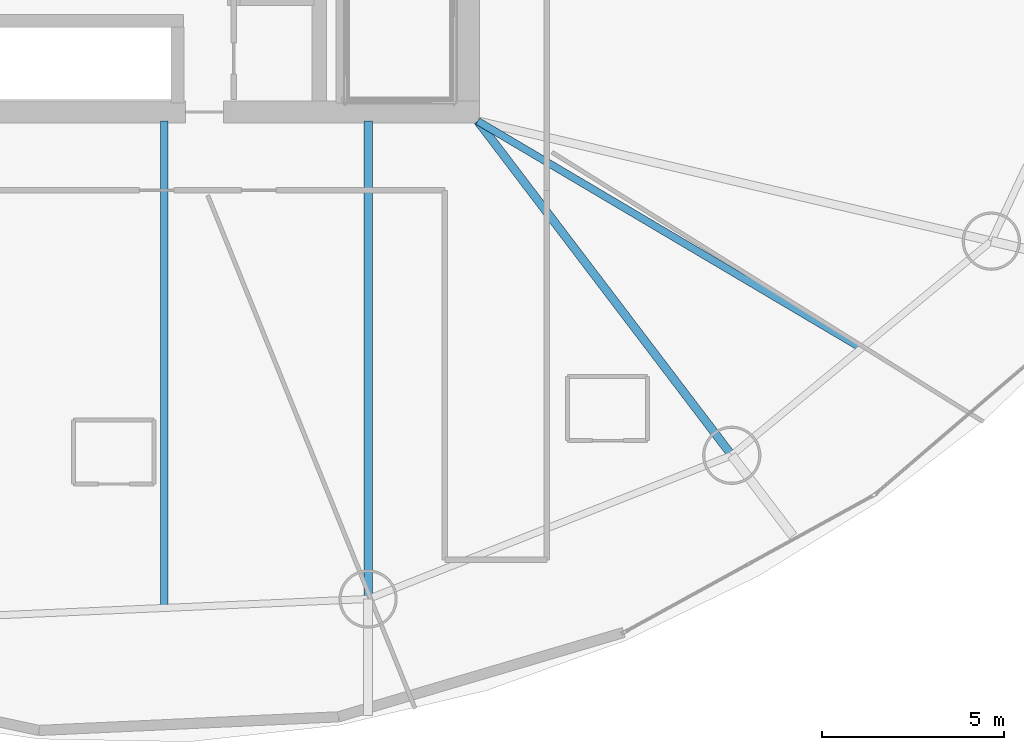
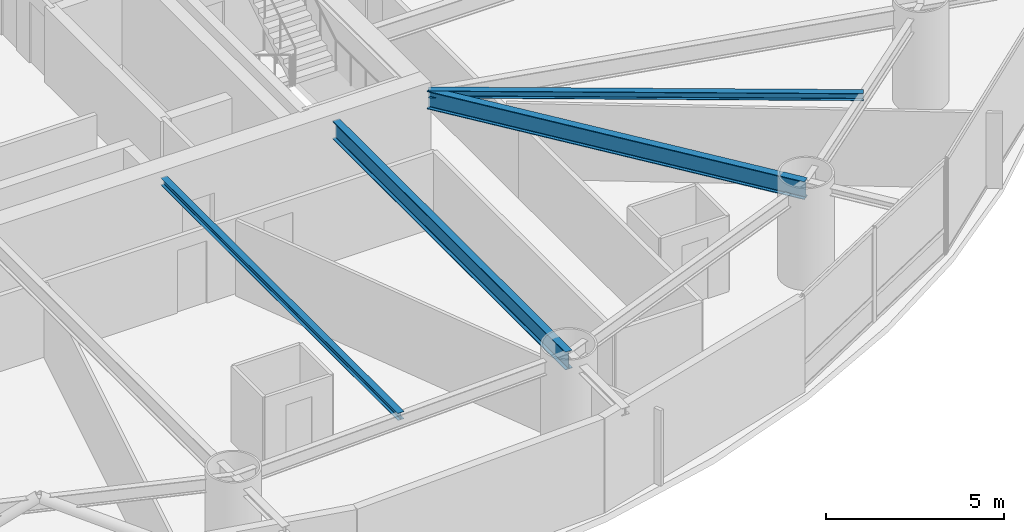
# One storey, part 5 of 25: 4 beams.
"""IFC4 building model written with IfcOpenShell, lengths in metres."""

from ifc_helpers import new_model, si_unit, direction, frame, origin, origin_2d, place, context, subcontext, project, spatial, i_section, extrude, material, material_profile, profile_set, type_object, element, save


model = new_model("IFC4")

# Units and contexts
model_context = context("Model", 3, precision=1e-05, world=origin(), true_north=direction((0.0, 1.0)))
body_context = subcontext(model_context, "Body", "Model", "MODEL_VIEW")
ifc_project = project(units=[si_unit("LENGTHUNIT", "METRE"), si_unit("AREAUNIT", "SQUARE_METRE"), si_unit("VOLUMEUNIT", "CUBIC_METRE"), si_unit("PLANEANGLEUNIT", "RADIAN"), si_unit("MASSUNIT", "GRAM", prefix="KILO")], contexts=[model_context])

# Site, building, storey
site_placement = place(None, origin())
site = spatial("IfcSite", under=ifc_project, at=site_placement, CompositionType="ELEMENT")
building_placement = place(site_placement, origin())
building = spatial("IfcBuilding", under=site, at=building_placement, Name="Bramvorn Convention Spire", CompositionType="ELEMENT")
storey_placement = place(building_placement, frame((0.0, 0.0, 55.39990234375)))
storey = spatial("IfcBuildingStorey", under=building, at=storey_placement, Name="L11", CompositionType="ELEMENT", Elevation=55.39990234375)

# Beams
ifc_material = material(Name="Steel CSA G40.21 Grade 350 (350W)", Category="steel")
ifc_material_profile_1 = material_profile(ifc_material, i_section(OverallWidth=0.201904296875, OverallDepth=0.2470703125, WebThickness=0.00732421875, FlangeThickness=0.010986328125, FilletRadius=0.011962890625, at=origin_2d()))
ifc_profile_set_1 = profile_set([ifc_material_profile_1], Name="Steel CSA G40.21 Grade 350 (350W) - W250X49")
beam_type_1 = type_object("IfcBeamType", Name="BM-W250X49", PredefinedType="JOIST", material=ifc_profile_set_1)
beam_1_placement = place(storey_placement, frame((40.638427734375, 18.550048828125, 3.126708984375), z_axis=(0.0, -1.0, 0.0), x_axis=(1.0, 0.0, 0.0)))
element("IfcBeam", 1, at=beam_1_placement, inside=storey, type_object=beam_type_1, Name="L11 composite floor joist 13", PredefinedType="JOIST", context=body_context, shape_type="SweptSolid", body=[
    extrude(i_section(OverallWidth=0.201904296875, OverallDepth=0.2470703125, WebThickness=0.00732421875, FlangeThickness=0.010986328125, FilletRadius=0.011962890625, at=origin_2d()), origin(), (0.0, 0.0, 1.0), 13.372802734375),
])
beam_2_placement = place(storey_placement, frame((49.25, 18.550048828125, 3.126708984375), z_axis=(0.860664556648, -0.509172388223, 0.0), x_axis=(0.509172388223, 0.860664556648, 0.0)))
element("IfcBeam", 2, at=beam_2_placement, inside=storey, type_object=beam_type_1, Name="L11 composite floor joist 15", PredefinedType="JOIST", context=body_context, shape_type="SweptSolid", body=[
    extrude(i_section(OverallWidth=0.201904296875, OverallDepth=0.2470703125, WebThickness=0.00732421875, FlangeThickness=0.010986328125, FilletRadius=0.011962890625, at=origin_2d()), origin(), (0.0, 0.0, 1.0), 12.25048828125),
])
ifc_material_profile_2 = material_profile(ifc_material, i_section(OverallWidth=0.22998046875, OverallDepth=0.616943359375, WebThickness=0.01318359375, FlangeThickness=0.022216796875, FilletRadius=0.02001953125, at=origin_2d()))
ifc_profile_set_2 = profile_set([ifc_material_profile_2], Name="Steel CSA G40.21 Grade 350 (350W) - W610X140")
beam_type_2 = type_object("IfcBeamType", Name="BM-W610X140", PredefinedType="BEAM", material=ifc_profile_set_2)
beam_3_placement = place(storey_placement, frame((46.23779296875, 18.550048828125, 2.941650390625), z_axis=(0.0, -1.0, 0.0), x_axis=(1.0, 0.0, 0.0)))
element("IfcBeam", 3, at=beam_3_placement, inside=storey, type_object=beam_type_2, Name="L11 radial floor girder MC14", PredefinedType="BEAM", context=body_context, shape_type="SweptSolid", body=[
    extrude(i_section(OverallWidth=0.22998046875, OverallDepth=0.616943359375, WebThickness=0.01318359375, FlangeThickness=0.022216796875, FilletRadius=0.02001953125, at=origin_2d()), origin(), (0.0, 0.0, 1.0), 13.126708984375),
])
beam_4_placement = place(storey_placement, frame((49.25, 18.550048828125, 2.941650390625), z_axis=(0.605191175112, -0.796080172826, 0.0), x_axis=(0.796080172826, 0.605191175112, 0.0)))
element("IfcBeam", 4, at=beam_4_placement, inside=storey, type_object=beam_type_2, Name="L11 radial floor girder MC15", PredefinedType="BEAM", context=body_context, shape_type="SweptSolid", body=[
    extrude(i_section(OverallWidth=0.22998046875, OverallDepth=0.616943359375, WebThickness=0.01318359375, FlangeThickness=0.022216796875, FilletRadius=0.02001953125, at=origin_2d()), origin(), (0.0, 0.0, 1.0), 11.52978515625),
])

save(model, "model.ifc")
